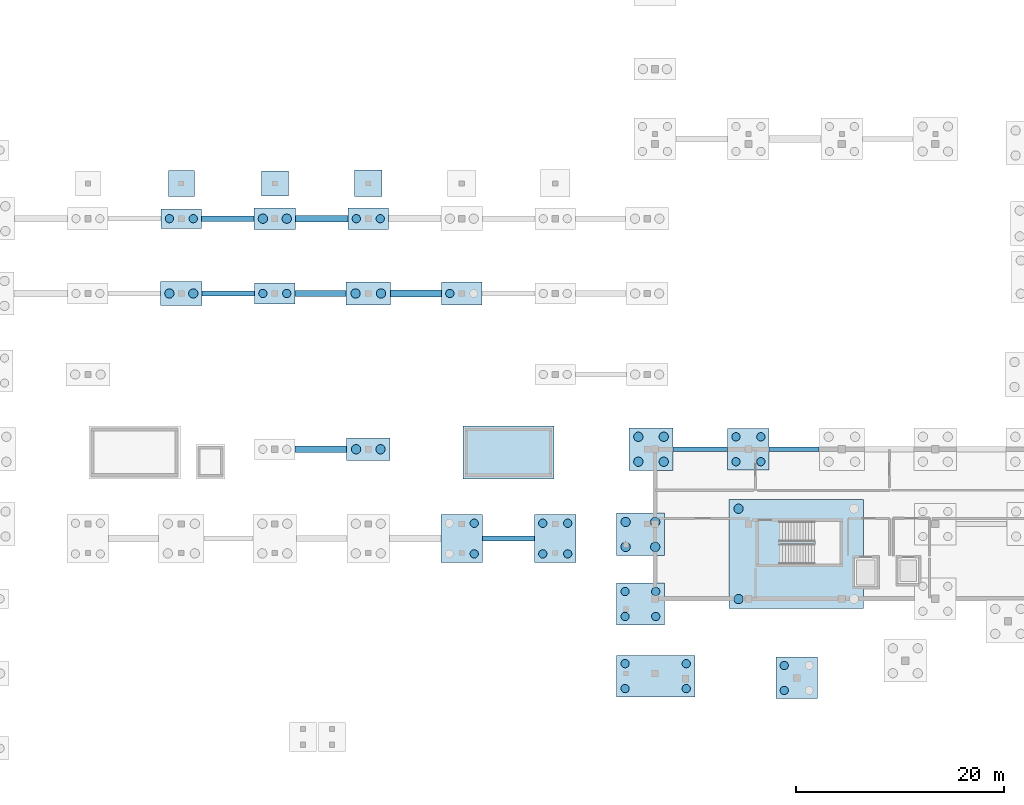
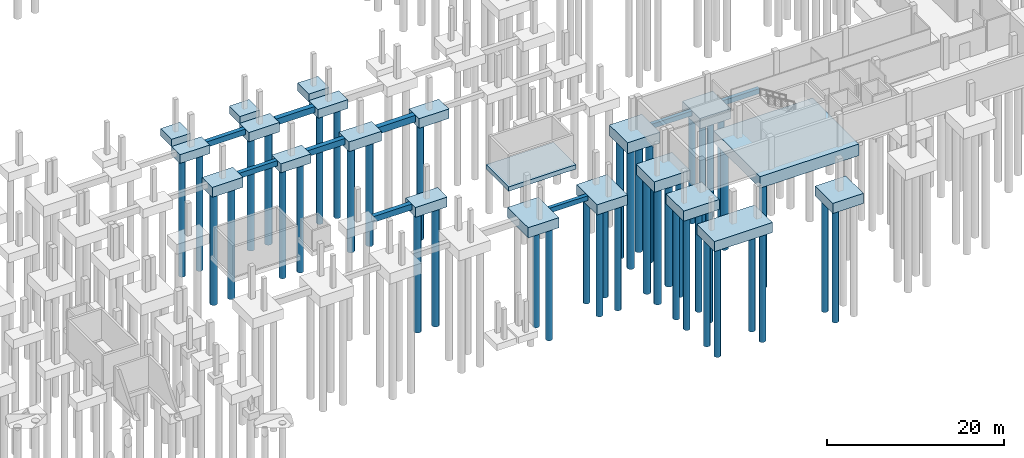
# One storey, part 4 of 36: 45 piles, 30 footings.
"""IFC4 building model written with IfcOpenShell, lengths in metres."""

from ifc_helpers import new_model, si_unit, direction, frame, origin, origin_2d, place, context, subcontext, project, spatial, rectangle, circle, extrude, material, layer, layer_set, material_profile, profile_set, type_object, element, save


model = new_model("IFC4")

# Units and contexts
model_context = context("Model", 3, precision=1e-05, world=origin(), true_north=direction((0.0, 1.0)))
body_context = subcontext(model_context, "Body", "Model", "MODEL_VIEW")
ifc_project = project(units=[si_unit("LENGTHUNIT", "METRE"), si_unit("AREAUNIT", "SQUARE_METRE"), si_unit("VOLUMEUNIT", "CUBIC_METRE"), si_unit("PLANEANGLEUNIT", "RADIAN"), si_unit("MASSUNIT", "GRAM", prefix="KILO")], contexts=[model_context])

# Site, building, storey
site_placement = place(None, origin())
site = spatial("IfcSite", under=ifc_project, at=site_placement, CompositionType="ELEMENT")
building_placement = place(site_placement, origin())
building = spatial("IfcBuilding", under=site, at=building_placement, Name="Chiffa Square Polytechnic", CompositionType="ELEMENT")
storey_placement = place(building_placement, frame((0.0, 0.0, -4.5)))
storey = spatial("IfcBuildingStorey", under=building, at=storey_placement, Name="B1", CompositionType="ELEMENT", Elevation=-4.5)

# Footings
ifc_material = material(Name="Concrete C35/45", Category="concrete")
ifc_layer_1 = layer(ifc_material, 0.659912109375, Name="Concrete C35/45")
ifc_layer_set_1 = layer_set([ifc_layer_1], Name="Concrete C35/45")
footing_type_1 = type_object("IfcFootingType", Name="FTG-BEAM-460X660", PredefinedType="FOOTING_BEAM", material=ifc_layer_set_1)
footing_1_placement = place(storey_placement, frame((116.574951171875, 28.800048828125, -0.66015625), z_axis=(0.0, 0.0, 1.0), x_axis=(1.0, 0.0, 0.0)))
element("IfcFooting", 1, at=footing_1_placement, inside=storey, type_object=footing_type_1, Name="Footing tie beam FB-B1-001", PredefinedType="FOOTING_BEAM", context=body_context, shape_type="SweptSolid", body=[
    extrude(rectangle(XDim=5.239990234375, YDim=0.4599609375, at=origin_2d()), origin(), (0.0, 0.0, 1.0), 0.659912109375),
])
footing_2_placement = place(storey_placement, frame((98.10009765625, 20.199951171875, -0.66015625), z_axis=(0.0, 0.0, 1.0), x_axis=(1.0, 0.0, 0.0)))
element("IfcFooting", 2, at=footing_2_placement, inside=storey, type_object=footing_type_1, Name="Footing tie beam FB-B1-025", PredefinedType="FOOTING_BEAM", context=body_context, shape_type="SweptSolid", body=[
    extrude(rectangle(XDim=4.989990234375, YDim=0.4599609375, at=origin_2d()), origin(), (0.0, 0.0, 1.0), 0.659912109375),
])
ifc_layer_2 = layer(ifc_material, 0.68505859375, Name="Concrete C35/45")
ifc_layer_set_2 = layer_set([ifc_layer_2], Name="Concrete C35/45")
footing_type_2 = type_object("IfcFootingType", Name="FTG-BEAM-480X685", PredefinedType="FOOTING_BEAM", material=ifc_layer_set_2)
footing_3_placement = place(storey_placement, frame((125.613037109375, 28.800048828125, -0.685546875), z_axis=(0.0, 0.0, 1.0), x_axis=(1.0, 0.0, 0.0)))
element("IfcFooting", 3, at=footing_3_placement, inside=storey, type_object=footing_type_2, Name="Footing tie beam FB-B1-002", PredefinedType="FOOTING_BEAM", context=body_context, shape_type="SweptSolid", body=[
    extrude(rectangle(XDim=4.81494140625, YDim=0.47998046875, at=origin_2d()), origin(), (0.0, 0.0, 1.0), 0.68505859375),
])
ifc_layer_3 = layer(ifc_material, 0.735107421875, Name="Concrete C35/45")
ifc_layer_set_3 = layer_set([ifc_layer_3], Name="Concrete C35/45")
footing_type_3 = type_object("IfcFootingType", Name="FTG-BEAM-520X735", PredefinedType="FOOTING_BEAM", material=ifc_layer_set_3)
footing_4_placement = place(storey_placement, frame((71.125, 43.800048828125, -0.734375), z_axis=(0.0, 0.0, 1.0), x_axis=(1.0, 0.0, 0.0)))
element("IfcFooting", 4, at=footing_4_placement, inside=storey, type_object=footing_type_3, Name="Footing tie beam FB-B1-016", PredefinedType="FOOTING_BEAM", context=body_context, shape_type="SweptSolid", body=[
    extrude(rectangle(XDim=5.0400390625, YDim=0.52001953125, at=origin_2d()), origin(), (0.0, 0.0, 1.0), 0.735107421875),
])
ifc_layer_4 = layer(ifc_material, 0.760009765625, Name="Concrete C35/45")
ifc_layer_set_4 = layer_set([ifc_layer_4], Name="Concrete C35/45")
footing_type_4 = type_object("IfcFootingType", Name="FTG-BEAM-540X760", PredefinedType="FOOTING_BEAM", material=ifc_layer_set_4)
footing_5_placement = place(storey_placement, frame((71.074951171875, 51.0, -0.759765625), z_axis=(0.0, 0.0, 1.0), x_axis=(1.0, 0.0, 0.0)))
element("IfcFooting", 5, at=footing_5_placement, inside=storey, type_object=footing_type_4, Name="Footing tie beam FB-B1-017", PredefinedType="FOOTING_BEAM", context=body_context, shape_type="SweptSolid", body=[
    extrude(rectangle(XDim=5.0400390625, YDim=0.5400390625, at=origin_2d()), origin(), (0.0, 0.0, 1.0), 0.760009765625),
])
ifc_layer_5 = layer(ifc_material, 0.81005859375, Name="Concrete C35/45")
ifc_layer_set_5 = layer_set([ifc_layer_5], Name="Concrete C35/45")
footing_type_5 = type_object("IfcFootingType", Name="FTG-BEAM-580X810", PredefinedType="FOOTING_BEAM", material=ifc_layer_set_5)
footing_6_placement = place(storey_placement, frame((80.037109375, 28.800048828125, -0.81005859375), z_axis=(0.0, 0.0, 1.0), x_axis=(1.0, 0.0, 0.0)))
element("IfcFooting", 6, at=footing_6_placement, inside=storey, type_object=footing_type_5, Name="Footing tie beam FB-B1-019", PredefinedType="FOOTING_BEAM", context=body_context, shape_type="SweptSolid", body=[
    extrude(rectangle(XDim=4.965087890625, YDim=0.580078125, at=origin_2d()), origin(), (0.0, 0.0, 1.0), 0.81005859375),
])
ifc_layer_6 = layer(ifc_material, 0.8349609375, Name="Concrete C35/45")
ifc_layer_set_6 = layer_set([ifc_layer_6], Name="Concrete C35/45")
footing_type_6 = type_object("IfcFootingType", Name="FTG-BEAM-600X835", PredefinedType="FOOTING_BEAM", material=ifc_layer_set_6)
footing_7_placement = place(storey_placement, frame((80.012939453125, 43.800048828125, -0.83544921875), z_axis=(0.0, 0.0, 1.0), x_axis=(1.0, 0.0, 0.0)))
element("IfcFooting", 7, at=footing_7_placement, inside=storey, type_object=footing_type_6, Name="Footing tie beam FB-B1-020", PredefinedType="FOOTING_BEAM", context=body_context, shape_type="SweptSolid", body=[
    extrude(rectangle(XDim=4.9150390625, YDim=0.60009765625, at=origin_2d()), origin(), (0.0, 0.0, 1.0), 0.8349609375),
])
ifc_layer_7 = layer(ifc_material, 0.860107421875, Name="Concrete C35/45")
ifc_layer_set_7 = layer_set([ifc_layer_7], Name="Concrete C35/45")
footing_type_7 = type_object("IfcFootingType", Name="FTG-BEAM-620X860", PredefinedType="FOOTING_BEAM", material=ifc_layer_set_7)
footing_8_placement = place(storey_placement, frame((80.125, 51.0, -0.85986328125), z_axis=(0.0, 0.0, 1.0), x_axis=(1.0, 0.0, 0.0)))
element("IfcFooting", 8, at=footing_8_placement, inside=storey, type_object=footing_type_7, Name="Footing tie beam FB-B1-021", PredefinedType="FOOTING_BEAM", context=body_context, shape_type="SweptSolid", body=[
    extrude(rectangle(XDim=5.0400390625, YDim=0.6201171875, at=origin_2d()), origin(), (0.0, 0.0, 1.0), 0.860107421875),
])
ifc_layer_8 = layer(ifc_material, 0.909912109375, Name="Concrete C35/45")
ifc_layer_set_8 = layer_set([ifc_layer_8], Name="Concrete C35/45")
footing_type_8 = type_object("IfcFootingType", Name="FTG-BEAM-660X910", PredefinedType="FOOTING_BEAM", material=ifc_layer_set_8)
footing_9_placement = place(storey_placement, frame((89.18798828125, 43.800048828125, -0.91015625), z_axis=(0.0, 0.0, 1.0), x_axis=(1.0, 0.0, 0.0)))
element("IfcFooting", 9, at=footing_9_placement, inside=storey, type_object=footing_type_8, Name="Footing tie beam FB-B1-023", PredefinedType="FOOTING_BEAM", context=body_context, shape_type="SweptSolid", body=[
    extrude(rectangle(XDim=4.9150390625, YDim=0.659912109375, at=origin_2d()), origin(), (0.0, 0.0, 1.0), 0.909912109375),
])
ifc_layer_9 = layer(ifc_material, 1.0, Name="Concrete C35/45")
ifc_layer_set_9 = layer_set([ifc_layer_9], Name="Concrete C35/45")
footing_type_9 = type_object("IfcFootingType", Name="FTG-PAD-2500X2500X1000", PredefinedType="PAD_FOOTING", material=ifc_layer_set_9)
footing_10_placement = place(storey_placement, frame((66.60009765625, 54.39990234375, -1.0), z_axis=(0.0, 0.0, 1.0), x_axis=(1.0, 0.0, 0.0)))
element("IfcFooting", 10, at=footing_10_placement, inside=storey, type_object=footing_type_9, Name="Pad footing PF-B1-02", PredefinedType="PAD_FOOTING", context=body_context, shape_type="SweptSolid", body=[
    extrude(rectangle(XDim=2.5, YDim=2.5, at=origin_2d()), origin(), (0.0, 0.0, 1.0), 1.0),
])
ifc_layer_10 = layer(ifc_material, 1.050048828125, Name="Concrete C35/45")
ifc_layer_set_10 = layer_set([ifc_layer_10], Name="Concrete C35/45")
footing_type_10 = type_object("IfcFootingType", Name="FTG-PAD-2600X2400X1050", PredefinedType="PAD_FOOTING", material=ifc_layer_set_10)
footing_11_placement = place(storey_placement, frame((75.60009765625, 54.39990234375, -1.0498046875), z_axis=(0.0, 0.0, 1.0), x_axis=(1.0, 0.0, 0.0)))
element("IfcFooting", 11, at=footing_11_placement, inside=storey, type_object=footing_type_10, Name="Pad footing PF-B1-03", PredefinedType="PAD_FOOTING", context=body_context, shape_type="SweptSolid", body=[
    extrude(rectangle(XDim=2.60009765625, YDim=2.39990234375, at=origin_2d()), origin(), (0.0, 0.0, 1.0), 1.050048828125),
])
ifc_layer_11 = layer(ifc_material, 1.080078125, Name="Concrete C35/45")
ifc_layer_set_11 = layer_set([ifc_layer_11], Name="Concrete C35/45")
footing_type_11 = type_object("IfcFootingType", Name="FTG-PAD-2650X2550X1080", PredefinedType="PAD_FOOTING", material=ifc_layer_set_11)
footing_12_placement = place(storey_placement, frame((84.60009765625, 54.39990234375, -1.080078125), z_axis=(0.0, 0.0, 1.0), x_axis=(1.0, 0.0, 0.0)))
element("IfcFooting", 12, at=footing_12_placement, inside=storey, type_object=footing_type_11, Name="Pad footing PF-B1-04", PredefinedType="PAD_FOOTING", context=body_context, shape_type="SweptSolid", body=[
    extrude(rectangle(XDim=2.64990234375, YDim=2.550048828125, at=origin_2d()), origin(), (0.0, 0.0, 1.0), 1.080078125),
])
ifc_layer_12 = layer(ifc_material, 0.60009765625, Name="Concrete C35/45")
ifc_layer_set_12 = layer_set([ifc_layer_12], Name="Concrete C35/45")
footing_type_12 = type_object("IfcFootingType", Name="FTG-PAD-8800X5100X600", PredefinedType="PAD_FOOTING", material=ifc_layer_set_12)
footing_13_placement = place(storey_placement, frame((98.10009765625, 28.5, -0.60009765625), z_axis=(0.0, 0.0, 1.0), x_axis=(1.0, 0.0, 0.0)))
element("IfcFooting", 13, at=footing_13_placement, inside=storey, type_object=footing_type_12, Name="Core pad footing PFG-CORE-CORE-V4B-1", PredefinedType="PAD_FOOTING", context=body_context, shape_type="SweptSolid", body=[
    extrude(rectangle(XDim=8.800048828125, YDim=5.10009765625, at=origin_2d()), origin(), (0.0, 0.0, 1.0), 0.60009765625),
])
ifc_layer_13 = layer(ifc_material, 1.60009765625, Name="Concrete C35/45")
ifc_layer_set_13 = layer_set([ifc_layer_13], Name="Concrete C35/45")
footing_type_13 = type_object("IfcFootingType", Name="FTG-PC-12925X10500X1600", PredefinedType="PILE_CAP", material=ifc_layer_set_13)
footing_14_placement = place(storey_placement, frame((125.81201171875, 18.72509765625, -1.60009765625), z_axis=(0.0, 0.0, 1.0), x_axis=(1.0, 0.0, 0.0)))
element("IfcFooting", 14, at=footing_14_placement, inside=storey, type_object=footing_type_13, Name="Pile cap PC-B1-005", PredefinedType="PILE_CAP", context=body_context, shape_type="SweptSolid", body=[
    extrude(rectangle(XDim=12.925048828125, YDim=10.5, at=origin_2d()), origin(), (0.0, 0.0, 1.0), 1.60009765625),
])
ifc_layer_14 = layer(ifc_material, 1.199951171875, Name="Concrete C35/45")
ifc_layer_set_14 = layer_set([ifc_layer_14], Name="Concrete C35/45")
footing_type_14 = type_object("IfcFootingType", Name="FTG-PC-3900X1900X1200", PredefinedType="PILE_CAP", material=ifc_layer_set_14)
footing_15_placement = place(storey_placement, frame((66.60009765625, 51.0, -1.2001953125), z_axis=(0.0, 0.0, 1.0), x_axis=(1.0, 0.0, 0.0)))
element("IfcFooting", 15, at=footing_15_placement, inside=storey, type_object=footing_type_14, Name="Pile cap PC-B1-093", PredefinedType="PILE_CAP", context=body_context, shape_type="SweptSolid", body=[
    extrude(rectangle(XDim=3.89990234375, YDim=1.89990234375, at=origin_2d()), origin(), (0.0, 0.0, 1.0), 1.199951171875),
])
ifc_layer_15 = layer(ifc_material, 1.219970703125, Name="Concrete C35/45")
ifc_layer_set_15 = layer_set([ifc_layer_15], Name="Concrete C35/45")
footing_type_15 = type_object("IfcFootingType", Name="FTG-PC-3900X2050X1220", PredefinedType="PILE_CAP", material=ifc_layer_set_15)
footing_16_placement = place(storey_placement, frame((84.60009765625, 51.0, -1.22021484375), z_axis=(0.0, 0.0, 1.0), x_axis=(1.0, 0.0, 0.0)))
element("IfcFooting", 16, at=footing_16_placement, inside=storey, type_object=footing_type_15, Name="Pile cap PC-B1-101", PredefinedType="PILE_CAP", context=body_context, shape_type="SweptSolid", body=[
    extrude(rectangle(XDim=3.89990234375, YDim=2.050048828125, at=origin_2d()), origin(), (0.0, 0.0, 1.0), 1.219970703125),
])
ifc_layer_16 = layer(ifc_material, 1.25, Name="Concrete C35/45")
ifc_layer_set_16 = layer_set([ifc_layer_16], Name="Concrete C35/45")
footing_type_16 = type_object("IfcFootingType", Name="FTG-PC-3900X2050X1250", PredefinedType="PILE_CAP", material=ifc_layer_set_16)
footing_17_placement = place(storey_placement, frame((75.60009765625, 43.800048828125, -1.25), z_axis=(0.0, 0.0, 1.0), x_axis=(1.0, 0.0, 0.0)))
element("IfcFooting", 17, at=footing_17_placement, inside=storey, type_object=footing_type_16, Name="Pile cap PC-B1-096", PredefinedType="PILE_CAP", context=body_context, shape_type="SweptSolid", body=[
    extrude(rectangle(XDim=3.89990234375, YDim=2.050048828125, at=origin_2d()), origin(), (0.0, 0.0, 1.0), 1.25),
])
ifc_layer_17 = layer(ifc_material, 1.320068359375, Name="Concrete C35/45")
ifc_layer_set_17 = layer_set([ifc_layer_17], Name="Concrete C35/45")
footing_type_17 = type_object("IfcFootingType", Name="FTG-PC-3900X2250X1320", PredefinedType="PILE_CAP", material=ifc_layer_set_17)
footing_18_placement = place(storey_placement, frame((93.60009765625, 43.800048828125, -1.31982421875), z_axis=(0.0, 0.0, 1.0), x_axis=(1.0, 0.0, 0.0)))
element("IfcFooting", 18, at=footing_18_placement, inside=storey, type_object=footing_type_17, Name="Pile cap PC-B1-103", PredefinedType="PILE_CAP", context=body_context, shape_type="SweptSolid", body=[
    extrude(rectangle(XDim=3.89990234375, YDim=2.25, at=origin_2d()), origin(), (0.0, 0.0, 1.0), 1.320068359375),
])
ifc_layer_18 = layer(ifc_material, 1.300048828125, Name="Concrete C35/45")
ifc_layer_set_18 = layer_set([ifc_layer_18], Name="Concrete C35/45")
footing_type_18 = type_object("IfcFootingType", Name="FTG-PC-4000X2100X1300", PredefinedType="PILE_CAP", material=ifc_layer_set_18)
footing_19_placement = place(storey_placement, frame((75.60009765625, 51.0, -1.2998046875), z_axis=(0.0, 0.0, 1.0), x_axis=(1.0, 0.0, 0.0)))
element("IfcFooting", 19, at=footing_19_placement, inside=storey, type_object=footing_type_18, Name="Pile cap PC-B1-097", PredefinedType="PILE_CAP", context=body_context, shape_type="SweptSolid", body=[
    extrude(rectangle(XDim=4.0, YDim=2.10009765625, at=origin_2d()), origin(), (0.0, 0.0, 1.0), 1.300048828125),
])
ifc_layer_19 = layer(ifc_material, 1.3798828125, Name="Concrete C35/45")
ifc_layer_set_19 = layer_set([ifc_layer_19], Name="Concrete C35/45")
footing_type_19 = type_object("IfcFootingType", Name="FTG-PC-4000X2300X1380", PredefinedType="PILE_CAP", material=ifc_layer_set_19)
footing_20_placement = place(storey_placement, frame((66.60009765625, 43.800048828125, -1.3798828125), z_axis=(0.0, 0.0, 1.0), x_axis=(1.0, 0.0, 0.0)))
element("IfcFooting", 20, at=footing_20_placement, inside=storey, type_object=footing_type_19, Name="Pile cap PC-B1-092", PredefinedType="PILE_CAP", context=body_context, shape_type="SweptSolid", body=[
    extrude(rectangle(XDim=4.0, YDim=2.300048828125, at=origin_2d()), origin(), (0.0, 0.0, 1.0), 1.3798828125),
])
ifc_layer_20 = layer(ifc_material, 1.39990234375, Name="Concrete C35/45")
ifc_layer_set_20 = layer_set([ifc_layer_20], Name="Concrete C35/45")
footing_type_20 = type_object("IfcFootingType", Name="FTG-PC-4000X4000X1400", PredefinedType="PILE_CAP", material=ifc_layer_set_20)
footing_21_placement = place(storey_placement, frame((125.85009765625, 6.778076171875, -1.39990234375), z_axis=(0.0, 0.0, 1.0), x_axis=(1.0, 0.0, 0.0)))
element("IfcFooting", 21, at=footing_21_placement, inside=storey, type_object=footing_type_20, Name="Pile cap PC-B1-232", PredefinedType="PILE_CAP", context=body_context, shape_type="SweptSolid", body=[
    extrude(rectangle(XDim=4.0, YDim=4.0, at=origin_2d()), origin(), (0.0, 0.0, 1.0), 1.39990234375),
])
ifc_layer_21 = layer(ifc_material, 1.419921875, Name="Concrete C35/45")
ifc_layer_set_21 = layer_set([ifc_layer_21], Name="Concrete C35/45")
footing_type_21 = type_object("IfcFootingType", Name="FTG-PC-4000X4000X1420", PredefinedType="PILE_CAP", material=ifc_layer_set_21)
footing_22_placement = place(storey_placement, frame((121.199951171875, 28.800048828125, -1.419921875), z_axis=(0.0, 0.0, 1.0), x_axis=(1.0, 0.0, 0.0)))
element("IfcFooting", 22, at=footing_22_placement, inside=storey, type_object=footing_type_21, Name="Pile cap PC-B1-006", PredefinedType="PILE_CAP", context=body_context, shape_type="SweptSolid", body=[
    extrude(rectangle(XDim=4.0, YDim=4.0, at=origin_2d()), origin(), (0.0, 0.0, 1.0), 1.419921875),
])
ifc_layer_22 = layer(ifc_material, 1.39990234375, Name="Concrete C35/45")
ifc_layer_set_22 = layer_set([ifc_layer_22], Name="Concrete C35/45")
footing_type_22 = type_object("IfcFootingType", Name="FTG-PC-4000X4650X1400", PredefinedType="PILE_CAP", material=ifc_layer_set_22)
footing_23_placement = place(storey_placement, frame((102.60009765625, 20.199951171875, -1.39990234375), z_axis=(0.0, 0.0, 1.0), x_axis=(1.0, 0.0, 0.0)))
element("IfcFooting", 23, at=footing_23_placement, inside=storey, type_object=footing_type_22, Name="Pile cap PC-B1-105", PredefinedType="PILE_CAP", context=body_context, shape_type="SweptSolid", body=[
    extrude(rectangle(XDim=4.0, YDim=4.64990234375, at=origin_2d()), origin(), (0.0, 0.0, 1.0), 1.39990234375),
])
ifc_layer_23 = layer(ifc_material, 1.419921875, Name="Concrete C35/45")
ifc_layer_set_23 = layer_set([ifc_layer_23], Name="Concrete C35/45")
footing_type_23 = type_object("IfcFootingType", Name="FTG-PC-4000X4650X1420", PredefinedType="PILE_CAP", material=ifc_layer_set_23)
footing_24_placement = place(storey_placement, frame((93.60009765625, 20.199951171875, -1.419921875), z_axis=(0.0, 0.0, 1.0), x_axis=(1.0, 0.0, 0.0)))
element("IfcFooting", 24, at=footing_24_placement, inside=storey, type_object=footing_type_23, Name="Pile cap PC-B1-102", PredefinedType="PILE_CAP", context=body_context, shape_type="SweptSolid", body=[
    extrude(rectangle(XDim=4.0, YDim=4.64990234375, at=origin_2d()), origin(), (0.0, 0.0, 1.0), 1.419921875),
])
ifc_layer_24 = layer(ifc_material, 1.35009765625, Name="Concrete C35/45")
ifc_layer_set_24 = layer_set([ifc_layer_24], Name="Concrete C35/45")
footing_type_24 = type_object("IfcFootingType", Name="FTG-PC-4150X2200X1350", PredefinedType="PILE_CAP", material=ifc_layer_set_24)
footing_25_placement = place(storey_placement, frame((84.60009765625, 28.800048828125, -1.35009765625), z_axis=(0.0, 0.0, 1.0), x_axis=(1.0, 0.0, 0.0)))
element("IfcFooting", 25, at=footing_25_placement, inside=storey, type_object=footing_type_24, Name="Pile cap PC-B1-099", PredefinedType="PILE_CAP", context=body_context, shape_type="SweptSolid", body=[
    extrude(rectangle(XDim=4.14990234375, YDim=2.199951171875, at=origin_2d()), origin(), (0.0, 0.0, 1.0), 1.35009765625),
])
ifc_layer_25 = layer(ifc_material, 1.35009765625, Name="Concrete C35/45")
ifc_layer_set_25 = layer_set([ifc_layer_25], Name="Concrete C35/45")
footing_type_25 = type_object("IfcFootingType", Name="FTG-PC-4250X2250X1350", PredefinedType="PILE_CAP", material=ifc_layer_set_25)
footing_26_placement = place(storey_placement, frame((84.60009765625, 43.800048828125, -1.35009765625), z_axis=(0.0, 0.0, 1.0), x_axis=(1.0, 0.0, 0.0)))
element("IfcFooting", 26, at=footing_26_placement, inside=storey, type_object=footing_type_25, Name="Pile cap PC-B1-100", PredefinedType="PILE_CAP", context=body_context, shape_type="SweptSolid", body=[
    extrude(rectangle(XDim=4.25, YDim=2.25, at=origin_2d()), origin(), (0.0, 0.0, 1.0), 1.35009765625),
])
ifc_layer_26 = layer(ifc_material, 1.5, Name="Concrete C35/45")
ifc_layer_set_26 = layer_set([ifc_layer_26], Name="Concrete C35/45")
footing_type_26 = type_object("IfcFootingType", Name="FTG-PC-4250X4100X1500", PredefinedType="PILE_CAP", material=ifc_layer_set_26)
footing_27_placement = place(storey_placement, frame((111.824951171875, 28.800048828125, -1.5), z_axis=(0.0, 0.0, 1.0), x_axis=(1.0, 0.0, 0.0)))
element("IfcFooting", 27, at=footing_27_placement, inside=storey, type_object=footing_type_26, Name="Pile cap PC-B1-004", PredefinedType="PILE_CAP", context=body_context, shape_type="SweptSolid", body=[
    extrude(rectangle(XDim=4.25, YDim=4.10009765625, at=origin_2d()), origin(), (0.0, 0.0, 1.0), 1.5),
])
ifc_layer_27 = layer(ifc_material, 1.39990234375, Name="Concrete C35/45")
ifc_layer_set_27 = layer_set([ifc_layer_27], Name="Concrete C35/45")
footing_type_27 = type_object("IfcFootingType", Name="FTG-PC-4650X4000X1400", PredefinedType="PILE_CAP", material=ifc_layer_set_27)
footing_28_placement = place(storey_placement, frame((110.800048828125, 13.89990234375, -1.39990234375), z_axis=(0.0, 0.0, 1.0), x_axis=(1.0, 0.0, 0.0)))
element("IfcFooting", 28, at=footing_28_placement, inside=storey, type_object=footing_type_27, Name="Pile cap PC-B1-002", PredefinedType="PILE_CAP", context=body_context, shape_type="SweptSolid", body=[
    extrude(rectangle(XDim=4.64990234375, YDim=4.0, at=origin_2d()), origin(), (0.0, 0.0, 1.0), 1.39990234375),
])
ifc_layer_28 = layer(ifc_material, 1.449951171875, Name="Concrete C35/45")
ifc_layer_set_28 = layer_set([ifc_layer_28], Name="Concrete C35/45")
footing_type_28 = type_object("IfcFootingType", Name="FTG-PC-4650X4100X1450", PredefinedType="PILE_CAP", material=ifc_layer_set_28)
footing_29_placement = place(storey_placement, frame((110.800048828125, 20.60009765625, -1.4501953125), z_axis=(0.0, 0.0, 1.0), x_axis=(1.0, 0.0, 0.0)))
element("IfcFooting", 29, at=footing_29_placement, inside=storey, type_object=footing_type_28, Name="Pile cap PC-B1-003", PredefinedType="PILE_CAP", context=body_context, shape_type="SweptSolid", body=[
    extrude(rectangle(XDim=4.64990234375, YDim=4.10009765625, at=origin_2d()), origin(), (0.0, 0.0, 1.0), 1.449951171875),
])
ifc_layer_29 = layer(ifc_material, 1.39990234375, Name="Concrete C35/45")
ifc_layer_set_29 = layer_set([ifc_layer_29], Name="Concrete C35/45")
footing_type_29 = type_object("IfcFootingType", Name="FTG-PC-7588X4000X1400", PredefinedType="PILE_CAP", material=ifc_layer_set_29)
footing_30_placement = place(storey_placement, frame((112.26904296875, 6.9541015625, -1.39990234375), z_axis=(0.0, 0.0, 1.0), x_axis=(1.0, 0.0, 0.0)))
element("IfcFooting", 30, at=footing_30_placement, inside=storey, type_object=footing_type_29, Name="Pile cap PC-B1-001", PredefinedType="PILE_CAP", context=body_context, shape_type="SweptSolid", body=[
    extrude(rectangle(XDim=7.587890625, YDim=4.0, at=origin_2d()), origin(), (0.0, 0.0, 1.0), 1.39990234375),
])

# Piles
ifc_material_profile_1 = material_profile(ifc_material, circle(Radius=0.39990234375, at=origin_2d()), Name="PILE D800")
ifc_profile_set_1 = profile_set([ifc_material_profile_1], Name="Concrete C35/45")
pile_type_1 = type_object("IfcPileType", Name="PILE-D800", PredefinedType="BORED", material=ifc_profile_set_1)
for number, where, z_axis, x_axis, name in (
    (31, (109.324951171875, 5.75390625, -1.300048828125), (0.0, 0.0, -1.0), (1.0, 0.0, 0.0), "Bored pile PL-B1-1093-0058-1"),
    (32, (115.212890625, 5.75390625, -1.300048828125), (0.0, 0.0, -1.0), (1.0, 0.0, 0.0), "Bored pile PL-B1-1152-0058-2"),
    (33, (109.324951171875, 8.154052734375, -1.300048828125), (0.0, 0.0, -1.0), (1.0, 0.0, 0.0), "Bored pile PL-B1-1093-0082-3"),
    (34, (115.212890625, 8.154052734375, -1.300048828125), (0.0, 0.0, -1.0), (1.0, 0.0, 0.0), "Bored pile PL-B1-1152-0082-4"),
):
    element("IfcPile", number, at=place(storey_placement, frame(where, z_axis=z_axis, x_axis=x_axis)), inside=storey, type_object=pile_type_1, Name=name, PredefinedType="BORED", context=body_context, shape_type="SweptSolid", body=[
        extrude(circle(Radius=0.39990234375, at=origin_2d()), origin(), (0.0, 0.0, 1.0), 15.199951171875),
    ])
for number, where, z_axis, x_axis, name in (
    (35, (109.324951171875, 12.699951171875, -1.300048828125), (0.0, 0.0, -1.0), (1.0, 0.0, 0.0), "Bored pile PL-B1-1093-0127-1"),
    (36, (112.27490234375, 12.699951171875, -1.300048828125), (0.0, 0.0, -1.0), (1.0, 0.0, 0.0), "Bored pile PL-B1-1123-0127-2"),
    (37, (109.324951171875, 15.10009765625, -1.300048828125), (0.0, 0.0, -1.0), (1.0, 0.0, 0.0), "Bored pile PL-B1-1093-0151-3"),
    (38, (112.27490234375, 15.10009765625, -1.300048828125), (0.0, 0.0, -1.0), (1.0, 0.0, 0.0), "Bored pile PL-B1-1123-0151-4"),
):
    element("IfcPile", number, at=place(storey_placement, frame(where, z_axis=z_axis, x_axis=x_axis)), inside=storey, type_object=pile_type_1, Name=name, PredefinedType="BORED", context=body_context, shape_type="SweptSolid", body=[
        extrude(circle(Radius=0.39990234375, at=origin_2d()), origin(), (0.0, 0.0, 1.0), 15.699951171875),
    ])
for number, where, z_axis, x_axis, name in (
    (39, (120.0, 27.60009765625, -1.320068359375), (0.0, 0.0, -1.0), (1.0, 0.0, 0.0), "Bored pile PL-B1-1200-0276-1"),
    (40, (122.39990234375, 27.60009765625, -1.320068359375), (0.0, 0.0, -1.0), (1.0, 0.0, 0.0), "Bored pile PL-B1-1224-0276-2"),
    (41, (120.0, 30.0, -1.320068359375), (0.0, 0.0, -1.0), (1.0, 0.0, 0.0), "Bored pile PL-B1-1200-0300-3"),
    (42, (122.39990234375, 30.0, -1.320068359375), (0.0, 0.0, -1.0), (1.0, 0.0, 0.0), "Bored pile PL-B1-1224-0300-4"),
):
    element("IfcPile", number, at=place(storey_placement, frame(where, z_axis=z_axis, x_axis=x_axis)), inside=storey, type_object=pile_type_1, Name=name, PredefinedType="BORED", context=body_context, shape_type="SweptSolid", body=[
        extrude(circle(Radius=0.39990234375, at=origin_2d()), origin(), (0.0, 0.0, 1.0), 15.179931640625),
    ])
for number, where, z_axis, x_axis, name in (
    (43, (65.449951171875, 51.0, -1.10009765625), (0.0, 0.0, -1.0), (1.0, 0.0, 0.0), "Bored pile PL-B1-0654-0510-1"),
    (44, (67.75, 51.0, -1.10009765625), (0.0, 0.0, -1.0), (1.0, 0.0, 0.0), "Bored pile PL-B1-0678-0510-2"),
):
    element("IfcPile", number, at=place(storey_placement, frame(where, z_axis=z_axis, x_axis=x_axis)), inside=storey, type_object=pile_type_1, Name=name, PredefinedType="BORED", context=body_context, shape_type="SweptSolid", body=[
        extrude(circle(Radius=0.39990234375, at=origin_2d()), origin(), (0.0, 0.0, 1.0), 16.39990234375),
    ])
for number, where, z_axis, x_axis, name in (
    (45, (74.449951171875, 43.800048828125, -1.14990234375), (0.0, 0.0, -1.0), (1.0, 0.0, 0.0), "Bored pile PL-B1-0744-0438-1"),
    (46, (76.75, 43.800048828125, -1.14990234375), (0.0, 0.0, -1.0), (1.0, 0.0, 0.0), "Bored pile PL-B1-0768-0438-2"),
):
    element("IfcPile", number, at=place(storey_placement, frame(where, z_axis=z_axis, x_axis=x_axis)), inside=storey, type_object=pile_type_1, Name=name, PredefinedType="BORED", context=body_context, shape_type="SweptSolid", body=[
        extrude(circle(Radius=0.39990234375, at=origin_2d()), origin(), (0.0, 0.0, 1.0), 15.35009765625),
    ])
for number, where, z_axis, x_axis, name in (
    (47, (83.449951171875, 51.0, -1.1201171875), (0.0, 0.0, -1.0), (1.0, 0.0, 0.0), "Bored pile PL-B1-0834-0510-1"),
    (48, (85.75, 51.0, -1.1201171875), (0.0, 0.0, -1.0), (1.0, 0.0, 0.0), "Bored pile PL-B1-0858-0510-2"),
):
    element("IfcPile", number, at=place(storey_placement, frame(where, z_axis=z_axis, x_axis=x_axis)), inside=storey, type_object=pile_type_1, Name=name, PredefinedType="BORED", context=body_context, shape_type="SweptSolid", body=[
        extrude(circle(Radius=0.39990234375, at=origin_2d()), origin(), (0.0, 0.0, 1.0), 15.3798828125),
    ])
for number, where, z_axis, x_axis, name in (
    (49, (94.800048828125, 18.72509765625, -1.320068359375), (0.0, 0.0, -1.0), (1.0, 0.0, 0.0), "Bored pile PL-B1-0948-0187-2"),
    (50, (94.800048828125, 21.675048828125, -1.320068359375), (0.0, 0.0, -1.0), (1.0, 0.0, 0.0), "Bored pile PL-B1-0948-0217-4"),
):
    element("IfcPile", number, at=place(storey_placement, frame(where, z_axis=z_axis, x_axis=x_axis)), inside=storey, type_object=pile_type_1, Name=name, PredefinedType="BORED", context=body_context, shape_type="SweptSolid", body=[
        extrude(circle(Radius=0.39990234375, at=origin_2d()), origin(), (0.0, 0.0, 1.0), 15.679931640625),
    ])
pile_placement = place(storey_placement, frame((92.449951171875, 43.800048828125, -1.219970703125), z_axis=(0.0, 0.0, -1.0), x_axis=(1.0, 0.0, 0.0)))
element("IfcPile", 51, at=pile_placement, inside=storey, type_object=pile_type_1, Name="Bored pile PL-B1-0924-0438-1", PredefinedType="BORED", context=body_context, shape_type="SweptSolid", body=[
    extrude(circle(Radius=0.39990234375, at=origin_2d()), origin(), (0.0, 0.0, 1.0), 16.280029296875),
])
for number, where, z_axis, x_axis, name in (
    (52, (101.39990234375, 18.72509765625, -1.300048828125), (0.0, 0.0, -1.0), (1.0, 0.0, 0.0), "Bored pile PL-B1-1014-0187-1"),
    (53, (103.800048828125, 18.72509765625, -1.300048828125), (0.0, 0.0, -1.0), (1.0, 0.0, 0.0), "Bored pile PL-B1-1038-0187-2"),
    (54, (101.39990234375, 21.675048828125, -1.300048828125), (0.0, 0.0, -1.0), (1.0, 0.0, 0.0), "Bored pile PL-B1-1014-0217-3"),
    (55, (103.800048828125, 21.675048828125, -1.300048828125), (0.0, 0.0, -1.0), (1.0, 0.0, 0.0), "Bored pile PL-B1-1038-0217-4"),
):
    element("IfcPile", number, at=place(storey_placement, frame(where, z_axis=z_axis, x_axis=x_axis)), inside=storey, type_object=pile_type_1, Name=name, PredefinedType="BORED", context=body_context, shape_type="SweptSolid", body=[
        extrude(circle(Radius=0.39990234375, at=origin_2d()), origin(), (0.0, 0.0, 1.0), 14.699951171875),
    ])
for number, where, z_axis, x_axis, name in (
    (56, (124.64990234375, 5.577880859375, -1.300048828125), (0.0, 0.0, -1.0), (1.0, 0.0, 0.0), "Bored pile PL-B1-1246-0056-1"),
    (57, (124.64990234375, 7.97802734375, -1.300048828125), (0.0, 0.0, -1.0), (1.0, 0.0, 0.0), "Bored pile PL-B1-1246-0080-3"),
):
    element("IfcPile", number, at=place(storey_placement, frame(where, z_axis=z_axis, x_axis=x_axis)), inside=storey, type_object=pile_type_1, Name=name, PredefinedType="BORED", context=body_context, shape_type="SweptSolid", body=[
        extrude(circle(Radius=0.39990234375, at=origin_2d()), origin(), (0.0, 0.0, 1.0), 15.699951171875),
    ])
ifc_material_profile_2 = material_profile(ifc_material, circle(Radius=0.449951171875, at=origin_2d()), Name="PILE D900")
ifc_profile_set_2 = profile_set([ifc_material_profile_2], Name="Concrete C35/45")
pile_type_2 = type_object("IfcPileType", Name="PILE-D900", PredefinedType="BORED", material=ifc_profile_set_2)
for number, where, z_axis, x_axis, name in (
    (58, (109.375, 19.39990234375, -1.35009765625), (0.0, 0.0, -1.0), (1.0, 0.0, 0.0), "Bored pile PL-B1-1094-0194-1"),
    (59, (112.22509765625, 19.39990234375, -1.35009765625), (0.0, 0.0, -1.0), (1.0, 0.0, 0.0), "Bored pile PL-B1-1122-0194-2"),
    (60, (109.375, 21.800048828125, -1.35009765625), (0.0, 0.0, -1.0), (1.0, 0.0, 0.0), "Bored pile PL-B1-1094-0218-3"),
    (61, (112.22509765625, 21.800048828125, -1.35009765625), (0.0, 0.0, -1.0), (1.0, 0.0, 0.0), "Bored pile PL-B1-1122-0218-4"),
):
    element("IfcPile", number, at=place(storey_placement, frame(where, z_axis=z_axis, x_axis=x_axis)), inside=storey, type_object=pile_type_2, Name=name, PredefinedType="BORED", context=body_context, shape_type="SweptSolid", body=[
        extrude(circle(Radius=0.449951171875, at=origin_2d()), origin(), (0.0, 0.0, 1.0), 16.14990234375),
    ])
for number, where, z_axis, x_axis, name in (
    (62, (110.60009765625, 27.60009765625, -1.39990234375), (0.0, 0.0, -1.0), (1.0, 0.0, 0.0), "Bored pile PL-B1-1106-0276-1"),
    (63, (113.050048828125, 27.60009765625, -1.39990234375), (0.0, 0.0, -1.0), (1.0, 0.0, 0.0), "Bored pile PL-B1-1130-0276-2"),
    (64, (110.60009765625, 30.0, -1.39990234375), (0.0, 0.0, -1.0), (1.0, 0.0, 0.0), "Bored pile PL-B1-1106-0300-3"),
    (65, (113.050048828125, 30.0, -1.39990234375), (0.0, 0.0, -1.0), (1.0, 0.0, 0.0), "Bored pile PL-B1-1130-0300-4"),
):
    element("IfcPile", number, at=place(storey_placement, frame(where, z_axis=z_axis, x_axis=x_axis)), inside=storey, type_object=pile_type_2, Name=name, PredefinedType="BORED", context=body_context, shape_type="SweptSolid", body=[
        extrude(circle(Radius=0.449951171875, at=origin_2d()), origin(), (0.0, 0.0, 1.0), 16.60009765625),
    ])
for number, where, z_axis, x_axis, name in (
    (66, (120.25, 14.375, -1.5), (0.0, 0.0, -1.0), (1.0, 0.0, 0.0), "Bored pile PL-B1-1202-0144-1"),
    (67, (120.25, 23.074951171875, -1.5), (0.0, 0.0, -1.0), (1.0, 0.0, 0.0), "Bored pile PL-B1-1202-0231-3"),
):
    element("IfcPile", number, at=place(storey_placement, frame(where, z_axis=z_axis, x_axis=x_axis)), inside=storey, type_object=pile_type_2, Name=name, PredefinedType="BORED", context=body_context, shape_type="SweptSolid", body=[
        extrude(circle(Radius=0.449951171875, at=origin_2d()), origin(), (0.0, 0.0, 1.0), 14.5),
    ])
for number, where, z_axis, x_axis, name in (
    (68, (65.449951171875, 43.800048828125, -1.280029296875), (0.0, 0.0, -1.0), (1.0, 0.0, 0.0), "Bored pile PL-B1-0654-0438-1"),
    (69, (67.75, 43.800048828125, -1.280029296875), (0.0, 0.0, -1.0), (1.0, 0.0, 0.0), "Bored pile PL-B1-0678-0438-2"),
):
    element("IfcPile", number, at=place(storey_placement, frame(where, z_axis=z_axis, x_axis=x_axis)), inside=storey, type_object=pile_type_2, Name=name, PredefinedType="BORED", context=body_context, shape_type="SweptSolid", body=[
        extrude(circle(Radius=0.449951171875, at=origin_2d()), origin(), (0.0, 0.0, 1.0), 15.719970703125),
    ])
for number, where, z_axis, x_axis, name in (
    (70, (74.449951171875, 51.0, -1.199951171875), (0.0, 0.0, -1.0), (1.0, 0.0, 0.0), "Bored pile PL-B1-0744-0510-1"),
    (71, (76.75, 51.0, -1.199951171875), (0.0, 0.0, -1.0), (1.0, 0.0, 0.0), "Bored pile PL-B1-0768-0510-2"),
):
    element("IfcPile", number, at=place(storey_placement, frame(where, z_axis=z_axis, x_axis=x_axis)), inside=storey, type_object=pile_type_2, Name=name, PredefinedType="BORED", context=body_context, shape_type="SweptSolid", body=[
        extrude(circle(Radius=0.449951171875, at=origin_2d()), origin(), (0.0, 0.0, 1.0), 15.800048828125),
    ])
for number, where, z_axis, x_axis, name in (
    (72, (83.425048828125, 28.800048828125, -1.25), (0.0, 0.0, -1.0), (1.0, 0.0, 0.0), "Bored pile PL-B1-0834-0288-1"),
    (73, (85.77490234375, 28.800048828125, -1.25), (0.0, 0.0, -1.0), (1.0, 0.0, 0.0), "Bored pile PL-B1-0858-0288-2"),
):
    element("IfcPile", number, at=place(storey_placement, frame(where, z_axis=z_axis, x_axis=x_axis)), inside=storey, type_object=pile_type_2, Name=name, PredefinedType="BORED", context=body_context, shape_type="SweptSolid", body=[
        extrude(circle(Radius=0.449951171875, at=origin_2d()), origin(), (0.0, 0.0, 1.0), 16.75),
    ])
for number, where, z_axis, x_axis, name in (
    (74, (83.375, 43.800048828125, -1.25), (0.0, 0.0, -1.0), (1.0, 0.0, 0.0), "Bored pile PL-B1-0834-0438-1"),
    (75, (85.824951171875, 43.800048828125, -1.25), (0.0, 0.0, -1.0), (1.0, 0.0, 0.0), "Bored pile PL-B1-0858-0438-2"),
):
    element("IfcPile", number, at=place(storey_placement, frame(where, z_axis=z_axis, x_axis=x_axis)), inside=storey, type_object=pile_type_2, Name=name, PredefinedType="BORED", context=body_context, shape_type="SweptSolid", body=[
        extrude(circle(Radius=0.449951171875, at=origin_2d()), origin(), (0.0, 0.0, 1.0), 14.75),
    ])

save(model, "model.ifc")
